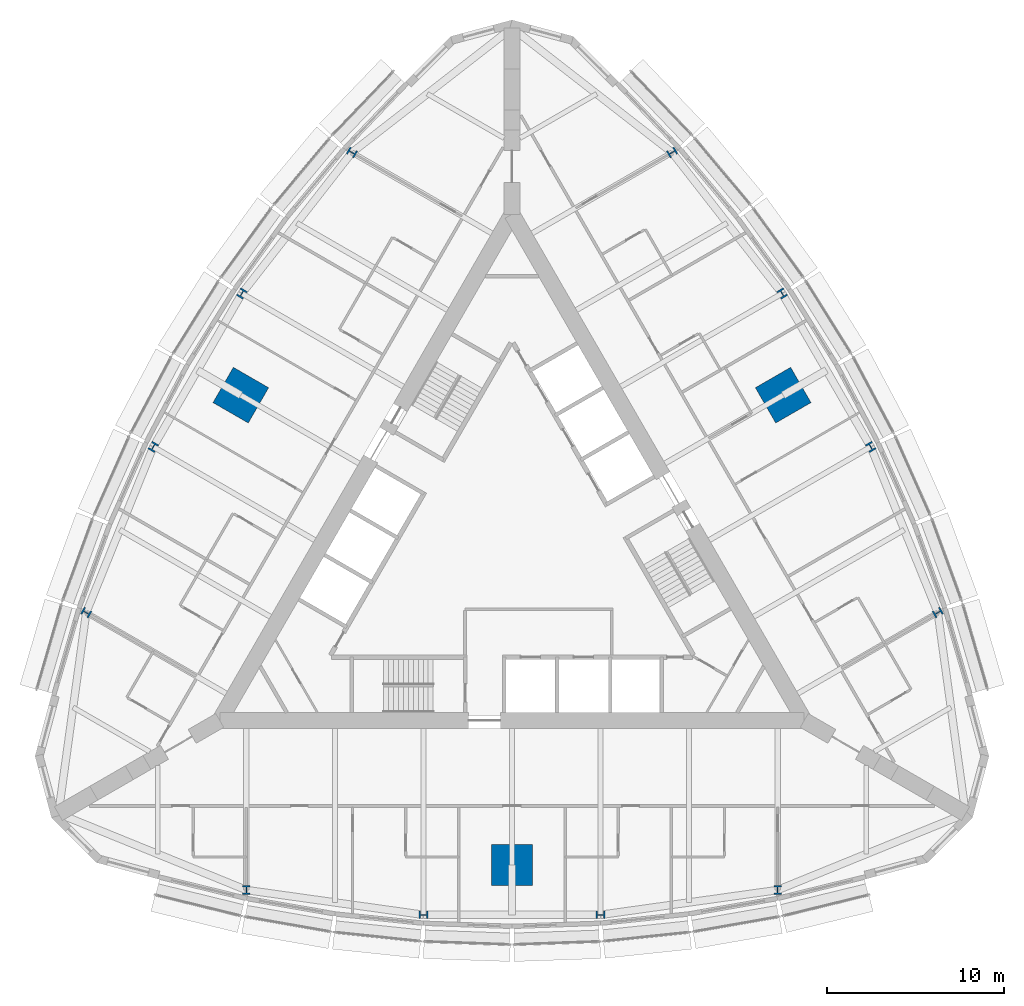
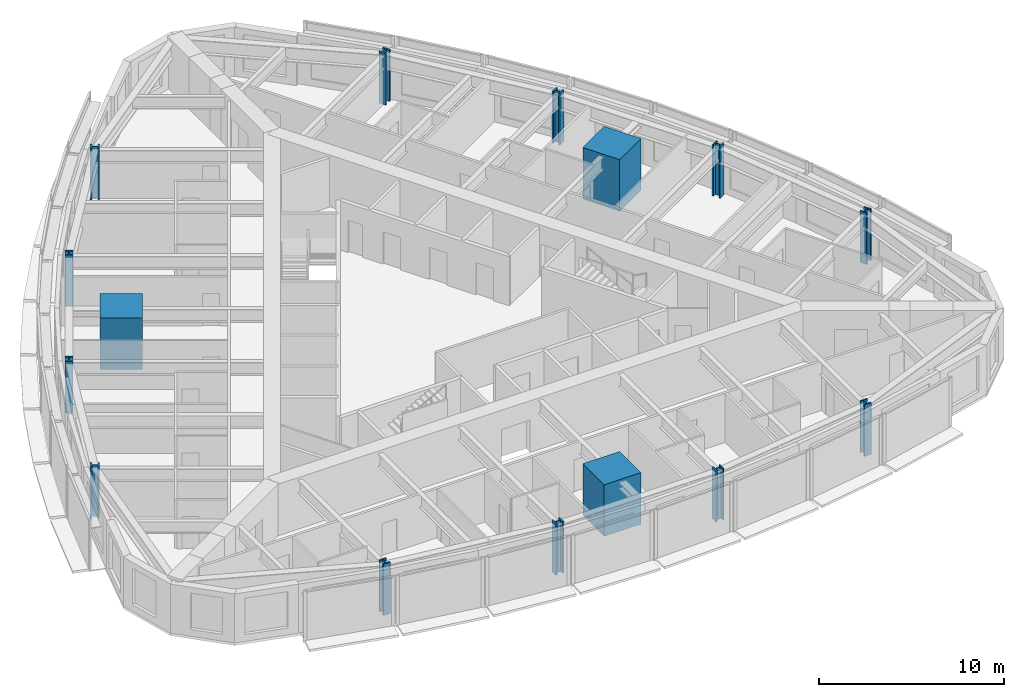
# One storey, part 1 of 14: 15 columns.
"""IFC4 building model written with IfcOpenShell, lengths in metres."""

from ifc_helpers import new_model, si_unit, direction, frame, origin, origin_2d, place, context, subcontext, project, spatial, rectangle, i_section, extrude, material, material_profile, profile_set, type_object, element, save


model = new_model("IFC4")

# Units and contexts
model_context = context("Model", 3, precision=1e-05, world=origin(), true_north=direction((0.0, 1.0)))
body_context = subcontext(model_context, "Body", "Model", "MODEL_VIEW")
ifc_project = project(units=[si_unit("LENGTHUNIT", "METRE"), si_unit("AREAUNIT", "SQUARE_METRE"), si_unit("VOLUMEUNIT", "CUBIC_METRE"), si_unit("PLANEANGLEUNIT", "RADIAN"), si_unit("MASSUNIT", "GRAM", prefix="KILO")], contexts=[model_context])

# Site, building, storey
site_placement = place(None, origin())
site = spatial("IfcSite", under=ifc_project, at=site_placement, CompositionType="ELEMENT")
building_placement = place(site_placement, origin())
building = spatial("IfcBuilding", under=site, at=building_placement, Name="Trikona Tower", CompositionType="ELEMENT")
storey_placement = place(building_placement, frame((0.0, 0.0, 169.10009765625)))
storey = spatial("IfcBuildingStorey", under=building, at=storey_placement, Name="L45", CompositionType="ELEMENT", Elevation=169.10009765625)

# Columns
ifc_material_1 = material(Name="Concrete f'c 10000 psi with encased steel section", Category="concrete")
ifc_material_profile_1 = material_profile(ifc_material_1, rectangle(XDim=2.300048828125, YDim=2.300048828125, at=origin_2d()), Name="MC2300")
ifc_profile_set_1 = profile_set([ifc_material_profile_1], Name="Concrete f'c 10000 psi with encased steel section")
column_type_1 = type_object("IfcColumnType", Name="Composite mega column 2300x2300", PredefinedType="COLUMN", material=ifc_profile_set_1)
for number, where, z_axis, x_axis, name in (
    (1, (0.0, -17.680419921875, 0.0), (0.0, 0.0, 1.0), (0.0, -1.0, 0.0), "Mega column MC1"),
    (2, (15.311767578125, 8.84033203125, 0.0), (0.0, 0.0, 1.0), (0.866025403784, 0.5, 0.0), "Mega column MC2"),
    (3, (-15.311767578125, 8.84033203125, 0.0), (0.0, 0.0, 1.0), (-0.866025403784, 0.5, 0.0), "Mega column MC3"),
):
    element("IfcColumn", number, at=place(storey_placement, frame(where, z_axis=z_axis, x_axis=x_axis)), inside=storey, type_object=column_type_1, Name=name, PredefinedType="COLUMN", context=body_context, shape_type="SweptSolid", body=[
        extrude(rectangle(XDim=2.300048828125, YDim=2.300048828125, at=origin_2d()), origin(), (0.0, 0.0, 1.0), 3.39990234375),
    ])
ifc_material_2 = material(Name="Steel ASTM A992 Grade 50", Category="steel")
ifc_material_profile_2 = material_profile(ifc_material_2, i_section(OverallWidth=0.431884765625, OverallDepth=0.497802734375, WebThickness=0.0556640625, FlangeThickness=0.0888671875, at=origin_2d()), Name="W14X500")
ifc_profile_set_2 = profile_set([ifc_material_profile_2], Name="Steel ASTM A992 Grade 50")
column_type_2 = type_object("IfcColumnType", Name="Steel column W14x500", PredefinedType="COLUMN", material=ifc_profile_set_2)
for number, where, z_axis, x_axis, name in (
    (4, (-15.0, -19.10009765625, 0.0), (0.0, 0.0, 1.0), (1.0, 0.0, 0.0), "Column F0m15"),
    (5, (-5.0, -20.500244140625, 0.0), (0.0, 0.0, 1.0), (0.0, -1.0, 0.0), "Column F0m5"),
    (6, (5.0, -20.500244140625, 0.0), (0.0, 0.0, 1.0), (0.0, -1.0, 0.0), "Column F0p5"),
    (7, (15.0, -19.10009765625, 0.0), (0.0, 0.0, 1.0), (1.0, 0.0, 0.0), "Column F0p15"),
    (8, (24.041259765625, -3.440185546875, 0.0), (0.0, 0.0, 1.0), (-0.5, 0.866025403784, 0.0), "Column F1m15"),
    (9, (20.253662109375, 5.919921875, 0.0), (0.0, 0.0, 1.0), (0.866025403784, 0.5, 0.0), "Column F1m5"),
    (10, (15.253662109375, 14.580078125, 0.0), (0.0, 0.0, 1.0), (0.866025403784, 0.5, 0.0), "Column F1p5"),
    (11, (9.041259765625, 22.54052734375, 0.0), (0.0, 0.0, 1.0), (-0.5, 0.866025403784, 0.0), "Column F1p15"),
    (12, (-9.041259765625, 22.54052734375, 0.0), (0.0, 0.0, 1.0), (-0.5, -0.866025403784, 0.0), "Column F2m15"),
    (13, (-15.253662109375, 14.580078125, 0.0), (0.0, 0.0, 1.0), (-0.866025403784, 0.5, 0.0), "Column F2m5"),
    (14, (-20.253662109375, 5.919921875, 0.0), (0.0, 0.0, 1.0), (-0.866025403784, 0.5, 0.0), "Column F2p5"),
    (15, (-24.041259765625, -3.440185546875, 0.0), (0.0, 0.0, 1.0), (-0.5, -0.866025403784, 0.0), "Column F2p15"),
):
    element("IfcColumn", number, at=place(storey_placement, frame(where, z_axis=z_axis, x_axis=x_axis)), inside=storey, type_object=column_type_2, Name=name, PredefinedType="COLUMN", context=body_context, shape_type="SweptSolid", body=[
        extrude(i_section(OverallWidth=0.431884765625, OverallDepth=0.497802734375, WebThickness=0.0556640625, FlangeThickness=0.0888671875, at=origin_2d()), origin(), (0.0, 0.0, 1.0), 3.39990234375),
    ])

save(model, "model.ifc")
